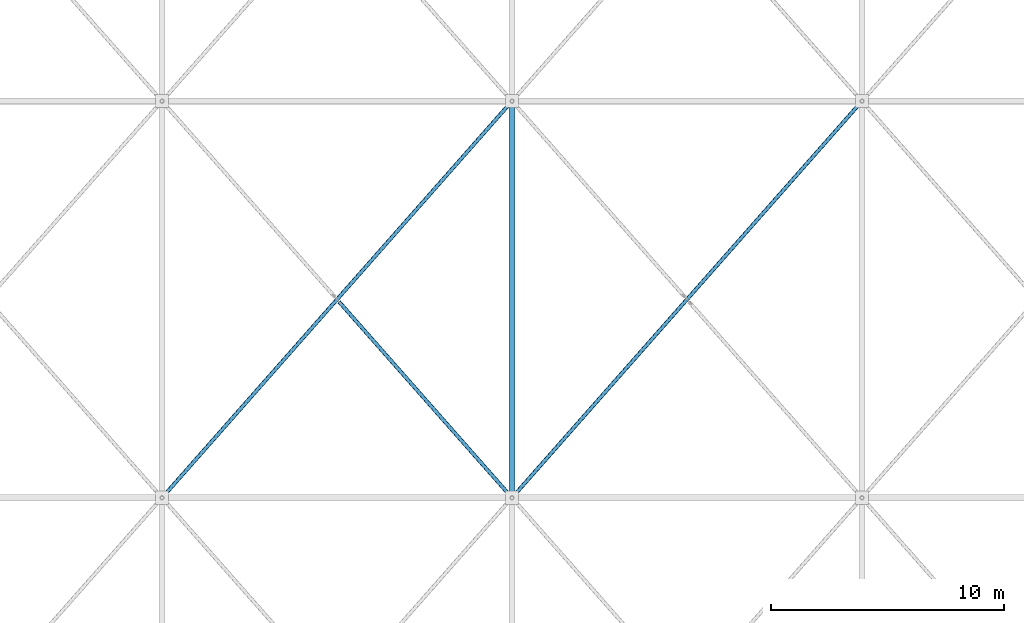
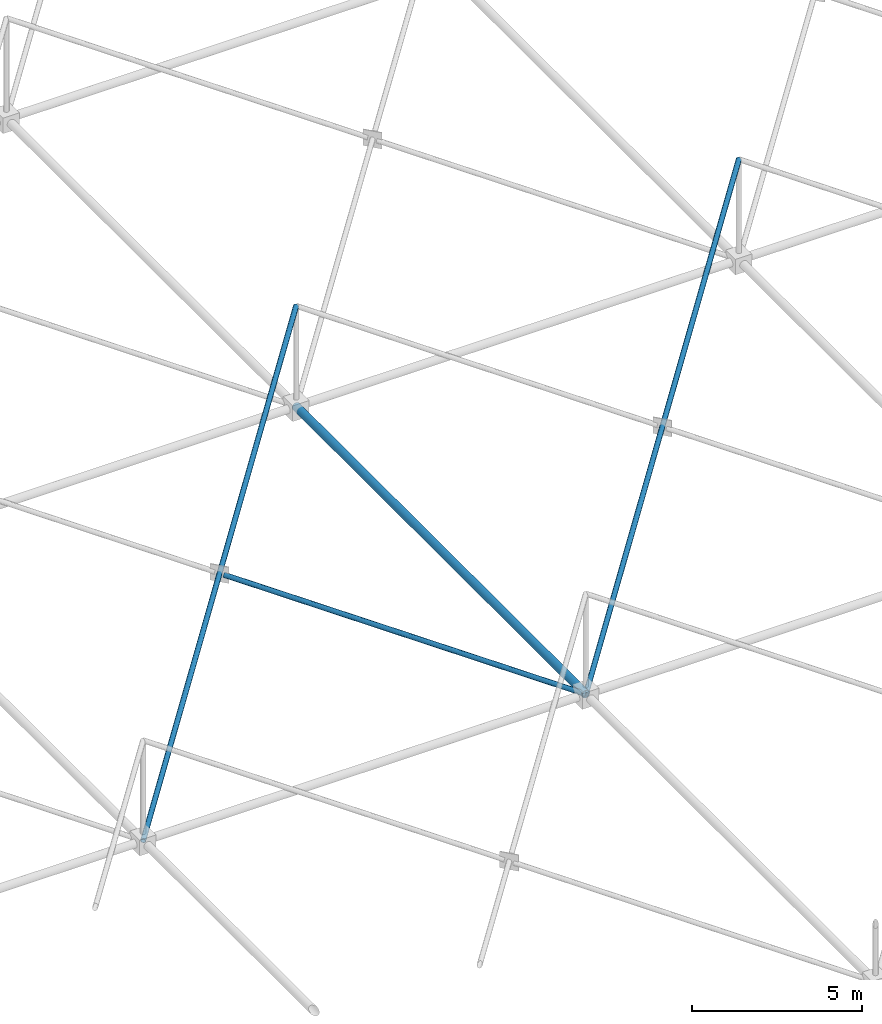
# One storey, part 57 of 224: 4 members.
"""IFC4 building model written with IfcOpenShell, lengths in metres."""

from ifc_helpers import new_model, si_unit, direction, frame, origin, origin_2d, place, context, subcontext, project, spatial, hollow_circle, extrude, material, material_profile, profile_set, type_object, element, save


model = new_model("IFC4")

# Units and contexts
model_context = context("Model", 3, precision=1e-05, world=origin(), true_north=direction((0.0, 1.0)))
body_context = subcontext(model_context, "Body", "Model", "MODEL_VIEW")
ifc_project = project(units=[si_unit("LENGTHUNIT", "METRE"), si_unit("AREAUNIT", "SQUARE_METRE"), si_unit("VOLUMEUNIT", "CUBIC_METRE"), si_unit("PLANEANGLEUNIT", "RADIAN"), si_unit("MASSUNIT", "GRAM", prefix="KILO")], contexts=[model_context])

# Site, building, storey
site_placement = place(None, origin())
site = spatial("IfcSite", under=ifc_project, at=site_placement, CompositionType="ELEMENT")
building_placement = place(site_placement, origin())
building = spatial("IfcBuilding", under=site, at=building_placement, Name="Qamarlyn Nura Convention Centre", CompositionType="ELEMENT")
storey_placement = place(building_placement, frame((0.0, 0.0, 10.800048828125)))
storey = spatial("IfcBuildingStorey", under=building, at=storey_placement, Name="L02", CompositionType="ELEMENT", Elevation=10.800048828125)

# Members
ifc_material = material(Name="Pearl-white PVDF steel ASTM A500 Grade C", Category="steel")
ifc_material_profile_1 = material_profile(ifc_material, hollow_circle(Radius=0.136474609375, WallThickness=0.012451171875, at=origin_2d()), Name="CHS273X12.5")
ifc_profile_set_1 = profile_set([ifc_material_profile_1], Name="Pearl-white PVDF steel ASTM A500 Grade C")
member_type_1 = type_object("IfcMemberType", Name="SF-BC-MAIN", PredefinedType="CHORD", material=ifc_profile_set_1)
member_1_placement = place(storey_placement, frame((60.0, 52.0, 0.800048828125), z_axis=(0.0, 1.0, 0.0), x_axis=(-1.0, 0.0, 0.0)))
element("IfcMember", 1, at=member_1_placement, inside=storey, type_object=member_type_1, Name="ROOF TRUSS space frame bottom chord Y6-4", PredefinedType="CHORD", context=body_context, shape_type="SweptSolid", body=[
    extrude(hollow_circle(Radius=0.136474609375, WallThickness=0.012451171875, at=origin_2d()), origin(), (0.0, 0.0, 1.0), 17.0),
])
ifc_material_profile_2 = material_profile(ifc_material, hollow_circle(Radius=0.084228515625, WallThickness=0.008056640625, at=origin_2d()), Name="CHS168.3X8")
ifc_profile_set_2 = profile_set([ifc_material_profile_2], Name="Pearl-white PVDF steel ASTM A500 Grade C")
member_type_2 = type_object("IfcMemberType", Name="SF-WEB-STD", PredefinedType="BRACE", material=ifc_profile_set_2)
member_2_placement = place(storey_placement, frame((45.0, 52.0, 0.800048828125), z_axis=(0.653435715467, 0.74056047753, 0.156818190504), x_axis=(-0.749837855365, 0.661621637087, 0.0)))
element("IfcMember", 2, at=member_2_placement, inside=storey, type_object=member_type_2, Name="ROOF TRUSS space frame diagonal A 5-4", PredefinedType="BRACE", context=body_context, shape_type="SweptSolid", body=[
    extrude(hollow_circle(Radius=0.084228515625, WallThickness=0.008056640625, at=origin_2d()), origin(), (0.0, 0.0, 1.0), 22.95556640625),
])
member_3_placement = place(storey_placement, frame((60.0, 52.0, 0.800048828125), z_axis=(-0.653436826791, 0.740561737029, 0.156807611557), x_axis=(-0.749837855365, -0.661621637087, 0.0)))
element("IfcMember", 3, at=member_3_placement, inside=storey, type_object=member_type_2, Name="ROOF TRUSS space frame split diagonal B1 5-4", PredefinedType="BRACE", context=body_context, shape_type="SweptSolid", body=[
    extrude(hollow_circle(Radius=0.084228515625, WallThickness=0.008056640625, at=origin_2d()), origin(), (0.0, 0.0, 1.0), 11.337646484375),
])
member_4_placement = place(storey_placement, frame((60.0, 52.0, 0.800048828125), z_axis=(0.653435715467, 0.74056047753, 0.156818190504), x_axis=(-0.749837855365, 0.661621637087, 0.0)))
element("IfcMember", 4, at=member_4_placement, inside=storey, type_object=member_type_2, Name="ROOF TRUSS space frame diagonal A 6-4", PredefinedType="BRACE", context=body_context, shape_type="SweptSolid", body=[
    extrude(hollow_circle(Radius=0.084228515625, WallThickness=0.008056640625, at=origin_2d()), origin(), (0.0, 0.0, 1.0), 22.95556640625),
])

save(model, "model.ifc")
